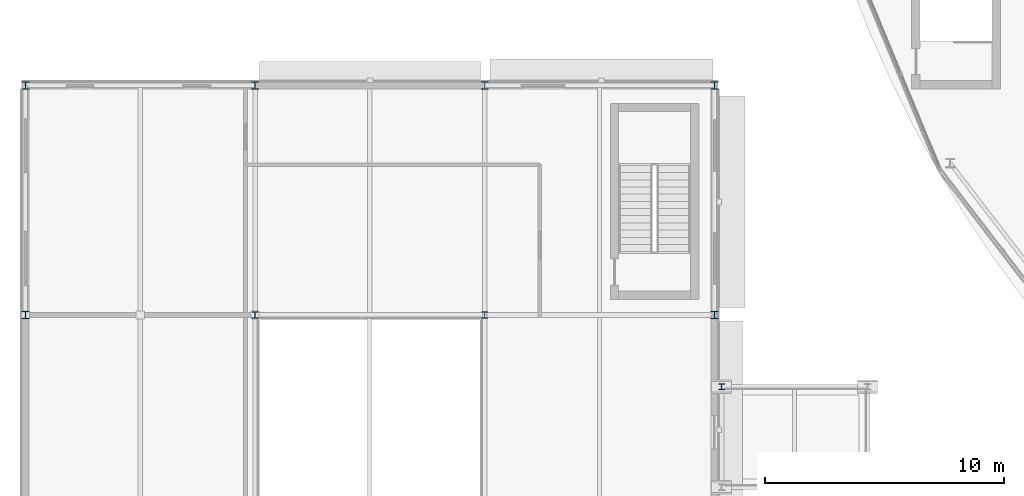
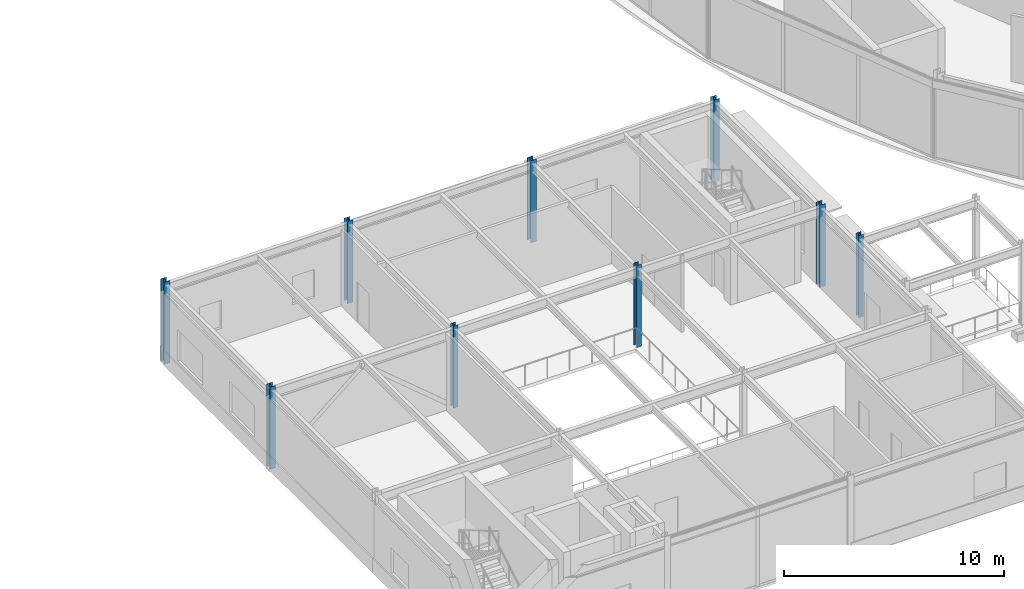
# One storey, part 2 of 157: 9 columns.
"""IFC4 building model written with IfcOpenShell, lengths in metres."""

from ifc_helpers import new_model, si_unit, direction, frame, origin, origin_2d, place, context, subcontext, project, spatial, i_section, extrude, material, material_profile, profile_set, type_object, element, save


model = new_model("IFC4")

# Units and contexts
model_context = context("Model", 3, precision=1e-05, world=origin(), true_north=direction((0.0, 1.0)))
body_context = subcontext(model_context, "Body", "Model", "MODEL_VIEW")
ifc_project = project(units=[si_unit("LENGTHUNIT", "METRE"), si_unit("AREAUNIT", "SQUARE_METRE"), si_unit("VOLUMEUNIT", "CUBIC_METRE"), si_unit("PLANEANGLEUNIT", "RADIAN"), si_unit("MASSUNIT", "GRAM", prefix="KILO")], contexts=[model_context])

# Site, building, storey
site_placement = place(None, origin())
site = spatial("IfcSite", under=ifc_project, at=site_placement, CompositionType="ELEMENT")
building_placement = place(site_placement, origin())
building = spatial("IfcBuilding", under=site, at=building_placement, Name="Almandine Court Research Institute", CompositionType="ELEMENT")
storey_placement = place(building_placement, frame((0.0, 0.0, 5.25)))
storey = spatial("IfcBuildingStorey", under=building, at=storey_placement, Name="L01", CompositionType="ELEMENT", Elevation=5.25)

# Columns
ifc_material = material(Name="Steel ASTM A992 Grade 50", Category="steel")
ifc_material_profile_1 = material_profile(ifc_material, i_section(OverallWidth=0.305908203125, OverallDepth=0.31103515625, WebThickness=0.010986328125, FlangeThickness=0.01708984375, at=origin_2d()), Name="W310x107")
ifc_profile_set_1 = profile_set([ifc_material_profile_1], Name="Steel ASTM A992 Grade 50")
column_type_1 = type_object("IfcColumnType", Name="Col-C-W08-E", PredefinedType="COLUMN", material=ifc_profile_set_1)
for number, where, z_axis, x_axis, name in (
    (1, (6.0, 25.199951171875, 0.0), (0.0, 0.0, 1.0), (1.0, 0.0, 0.0), "L01 V1 Column V1-X1Y3"),
    (2, (6.0, 34.800048828125, 0.0), (0.0, 0.0, 1.0), (1.0, 0.0, 0.0), "L01 V1 Column V1-X1Y4"),
    (3, (15.60009765625, 34.800048828125, 0.0), (0.0, 0.0, 1.0), (1.0, 0.0, 0.0), "L01 V1 Column V1-X2Y4"),
    (4, (25.199951171875, 34.800048828125, 0.0), (0.0, 0.0, 1.0), (1.0, 0.0, 0.0), "L01 V1 Column V1-X3Y4"),
    (5, (34.800048828125, 25.199951171875, 0.0), (0.0, 0.0, 1.0), (1.0, 0.0, 0.0), "L01 V1 Column V1-X4Y3"),
    (6, (34.800048828125, 34.800048828125, 0.0), (0.0, 0.0, 1.0), (1.0, 0.0, 0.0), "L01 V1 Column V1-X4Y4"),
):
    element("IfcColumn", number, at=place(storey_placement, frame(where, z_axis=z_axis, x_axis=x_axis)), inside=storey, type_object=column_type_1, Name=name, PredefinedType="COLUMN", context=body_context, shape_type="SweptSolid", body=[
        extrude(i_section(OverallWidth=0.305908203125, OverallDepth=0.31103515625, WebThickness=0.010986328125, FlangeThickness=0.01708984375, at=origin_2d()), origin(), (0.0, 0.0, 1.0), 4.550048828125),
    ])
ifc_material_profile_2 = material_profile(ifc_material, i_section(OverallWidth=0.25390625, OverallDepth=0.2529296875, WebThickness=0.009033203125, FlangeThickness=0.013916015625, at=origin_2d()), Name="W250x73")
ifc_profile_set_2 = profile_set([ifc_material_profile_2], Name="Steel ASTM A992 Grade 50")
column_type_2 = type_object("IfcColumnType", Name="Col-C-W10", PredefinedType="COLUMN", material=ifc_profile_set_2)
for number, where, z_axis, x_axis, name in (
    (7, (15.60009765625, 25.199951171875, 0.0), (0.0, 0.0, 1.0), (1.0, 0.0, 0.0), "L01 V1 Column V1-X2Y3"),
    (8, (25.199951171875, 25.199951171875, 0.0), (0.0, 0.0, 1.0), (1.0, 0.0, 0.0), "L01 V1 Column V1-X3Y3"),
):
    element("IfcColumn", number, at=place(storey_placement, frame(where, z_axis=z_axis, x_axis=x_axis)), inside=storey, type_object=column_type_2, Name=name, PredefinedType="COLUMN", context=body_context, shape_type="SweptSolid", body=[
        extrude(i_section(OverallWidth=0.25390625, OverallDepth=0.2529296875, WebThickness=0.009033203125, FlangeThickness=0.013916015625, at=origin_2d()), origin(), (0.0, 0.0, 1.0), 4.550048828125),
    ])
ifc_material_profile_3 = material_profile(ifc_material, i_section(OverallWidth=0.25390625, OverallDepth=0.2529296875, WebThickness=0.009033203125, FlangeThickness=0.013916015625, at=origin_2d()), Name="W250x73")
ifc_profile_set_3 = profile_set([ifc_material_profile_3], Name="Steel ASTM A992 Grade 50")
column_type_3 = type_object("IfcColumnType", Name="Col-C-W10-E", PredefinedType="COLUMN", material=ifc_profile_set_3)
column_placement = place(storey_placement, frame((35.10009765625, 22.199951171875, 0.0), z_axis=(0.0, 0.0, 1.0), x_axis=(1.0, 0.0, 0.0)))
element("IfcColumn", 9, at=column_placement, inside=storey, type_object=column_type_3, Name="L01 DAL-SW Column DAL-SW-X1Y2", PredefinedType="COLUMN", context=body_context, shape_type="SweptSolid", body=[
    extrude(i_section(OverallWidth=0.25390625, OverallDepth=0.2529296875, WebThickness=0.009033203125, FlangeThickness=0.013916015625, at=origin_2d()), origin(), (0.0, 0.0, 1.0), 4.550048828125),
])

save(model, "model.ifc")
